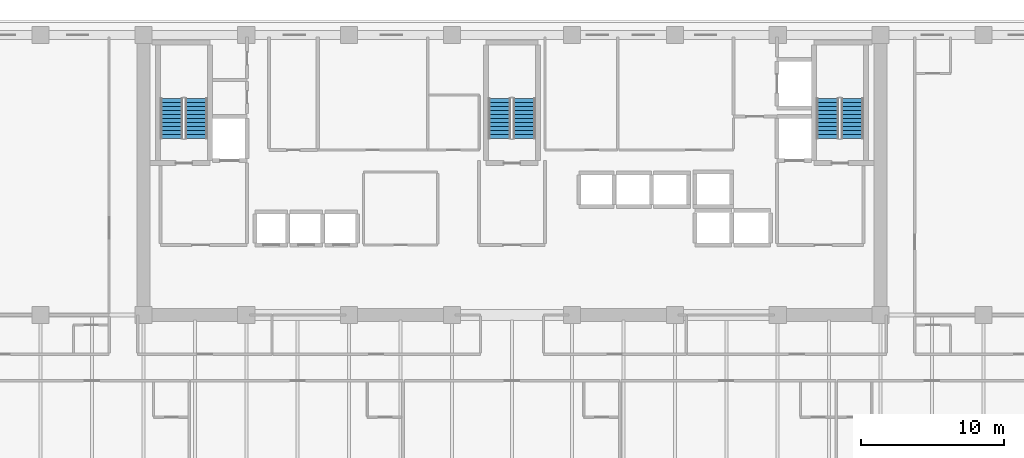
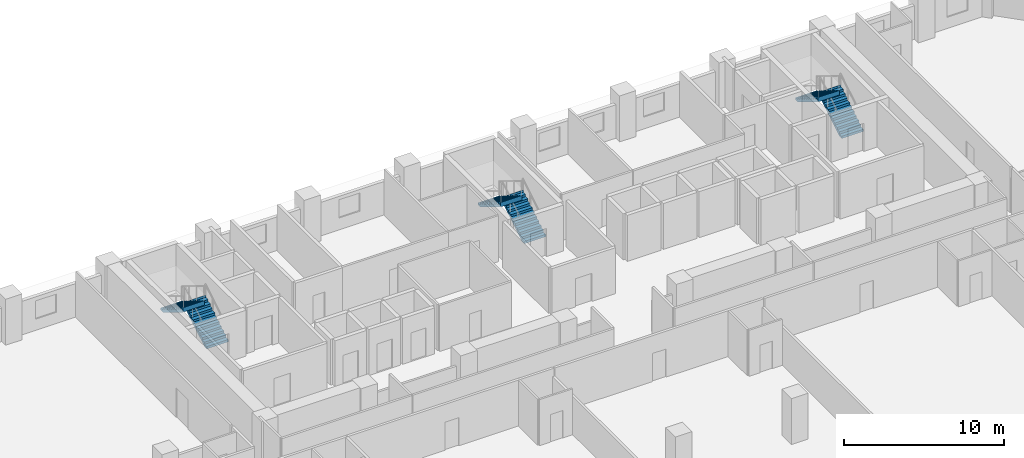
# One storey, part 10 of 14: 6 stair flights, 3 elements without a shape of their own.
"""IFC4 building model written with IfcOpenShell, lengths in metres."""

from ifc_helpers import new_model, si_unit, direction, frame, origin, place, context, subcontext, project, spatial, polyline, outline, extrude, material, type_object, element, aggregate, save


model = new_model("IFC4")

# Units and contexts
model_context = context("Model", 3, precision=1e-05, world=origin(), true_north=direction((0.0, 1.0)))
body_context = subcontext(model_context, "Body", "Model", "MODEL_VIEW")
ifc_project = project(units=[si_unit("LENGTHUNIT", "METRE"), si_unit("AREAUNIT", "SQUARE_METRE"), si_unit("VOLUMEUNIT", "CUBIC_METRE"), si_unit("PLANEANGLEUNIT", "RADIAN"), si_unit("MASSUNIT", "GRAM", prefix="KILO")], contexts=[model_context])

# Site, building, storey
site_placement = place(None, origin())
site = spatial("IfcSite", under=ifc_project, at=site_placement, CompositionType="ELEMENT")
building_placement = place(site_placement, origin())
building = spatial("IfcBuilding", under=site, at=building_placement, Name="Kaelvorn Grand Hotel", CompositionType="ELEMENT")
storey_placement = place(building_placement, frame((0.0, 0.0, 126.800048828125)))
storey = spatial("IfcBuildingStorey", under=building, at=storey_placement, Name="L30", CompositionType="ELEMENT", Elevation=126.800048828125)

# Stair, stair flights
ifc_material = material(Name="Concrete C40/50", Category="concrete")
stair_type = type_object("IfcStairType", Name="STR-DOG-1560-R06", PredefinedType="HALF_TURN_STAIR", material=ifc_material)
stair_1_placement = place(storey_placement, origin())
stair_1 = element("IfcStair", 1, at=stair_1_placement, inside=storey, type_object=stair_type, Name="L30 West Core Exit Stair ST1", PredefinedType="HALF_TURN_STAIR")
stair_flight_type = type_object("IfcStairFlightType", Name="FLG-DOG-1560-R06", PredefinedType="STRAIGHT", material=ifc_material)
stair_flight_1_placement = place(storey_placement, frame((19.89990234375, 41.760009765625, 0.0), z_axis=(0.0, 0.0, 1.0), x_axis=(0.0, 1.0, 0.0)))
stair_flight_1 = element("IfcStairFlight", 2, at=stair_flight_1_placement, type_object=stair_flight_type, Name="ST1 flight 1", NumberOfRisers=11, NumberOfTreads=10, PredefinedType="STRAIGHT", RiserHeight=0.170454545, TreadLength=0.28, context=body_context, shape_type="SweptSolid", body=[
    extrude(outline(polyline([(-0.0048828125, 0.0), (-0.0048828125, 0.0400390625), (0.0, 0.17041015625), (0.280029296875, 0.17041015625), (0.280029296875, 0.3408203125), (0.56005859375, 0.3408203125), (0.56005859375, 0.511474609375), (0.840087890625, 0.511474609375), (0.840087890625, 0.681884765625), (1.1201171875, 0.681884765625), (1.1201171875, 0.852294921875), (1.39990234375, 0.852294921875), (1.39990234375, 1.022705078125), (1.679931640625, 1.022705078125), (1.679931640625, 1.193115234375), (1.9599609375, 1.193115234375), (1.9599609375, 1.363525390625), (2.239990234375, 1.363525390625), (2.239990234375, 1.5341796875), (2.52001953125, 1.5341796875), (2.52001953125, 1.70458984375), (2.800048828125, 1.70458984375), (2.800048828125, 1.875), (2.804931640625, 1.875), (2.804931640625, 1.529052734375), (0.288330078125, 0.0), (-0.0048828125, 0.0)])), frame((0.0, 0.780029296875, 0.0), z_axis=(0.0, -1.0, 0.0), x_axis=(1.0, 0.0, 0.0)), (0.0, 0.0, 1.0), 1.56005859375),
])
stair_flight_2_placement = place(storey_placement, frame((18.179931640625, 44.56005859375, 1.875), z_axis=(0.0, 0.0, 1.0), x_axis=(0.0, -1.0, 0.0)))
stair_flight_2 = element("IfcStairFlight", 3, at=stair_flight_2_placement, type_object=stair_flight_type, Name="ST1 flight 2", NumberOfRisers=11, NumberOfTreads=10, PredefinedType="STRAIGHT", RiserHeight=0.170454545, TreadLength=0.28, context=body_context, shape_type="SweptSolid", body=[
    extrude(outline(polyline([(-0.0048828125, 0.0), (-0.0048828125, 0.0400390625), (0.0, 0.17041015625), (0.280029296875, 0.17041015625), (0.280029296875, 0.3408203125), (0.56005859375, 0.3408203125), (0.56005859375, 0.511474609375), (0.840087890625, 0.511474609375), (0.840087890625, 0.681884765625), (1.1201171875, 0.681884765625), (1.1201171875, 0.852294921875), (1.39990234375, 0.852294921875), (1.39990234375, 1.022705078125), (1.679931640625, 1.022705078125), (1.679931640625, 1.193115234375), (1.9599609375, 1.193115234375), (1.9599609375, 1.363525390625), (2.239990234375, 1.363525390625), (2.239990234375, 1.5341796875), (2.52001953125, 1.5341796875), (2.52001953125, 1.70458984375), (2.800048828125, 1.70458984375), (2.800048828125, 1.875), (2.804931640625, 1.875), (2.804931640625, 1.529052734375), (0.288330078125, 0.0), (-0.0048828125, 0.0)])), frame((0.0, 0.780029296875, 0.0), z_axis=(0.0, -1.0, 0.0), x_axis=(1.0, 0.0, 0.0)), (0.0, 0.0, 1.0), 1.56005859375),
])
aggregate(stair_1, [stair_flight_1, stair_flight_2])

stair_2_placement = place(storey_placement, origin())
stair_2 = element("IfcStair", 4, at=stair_2_placement, inside=storey, type_object=stair_type, Name="L30 Central Core Exit Stair ST2", PredefinedType="HALF_TURN_STAIR")
stair_flight_3_placement = place(storey_placement, frame((42.860107421875, 41.760009765625, 0.0), z_axis=(0.0, 0.0, 1.0), x_axis=(0.0, 1.0, 0.0)))
stair_flight_3 = element("IfcStairFlight", 5, at=stair_flight_3_placement, type_object=stair_flight_type, Name="ST2 flight 1", NumberOfRisers=11, NumberOfTreads=10, PredefinedType="STRAIGHT", RiserHeight=0.170454545, TreadLength=0.28, context=body_context, shape_type="SweptSolid", body=[
    extrude(outline(polyline([(-0.0048828125, 0.0), (-0.0048828125, 0.0400390625), (0.0, 0.17041015625), (0.280029296875, 0.17041015625), (0.280029296875, 0.3408203125), (0.56005859375, 0.3408203125), (0.56005859375, 0.511474609375), (0.840087890625, 0.511474609375), (0.840087890625, 0.681884765625), (1.1201171875, 0.681884765625), (1.1201171875, 0.852294921875), (1.39990234375, 0.852294921875), (1.39990234375, 1.022705078125), (1.679931640625, 1.022705078125), (1.679931640625, 1.193115234375), (1.9599609375, 1.193115234375), (1.9599609375, 1.363525390625), (2.239990234375, 1.363525390625), (2.239990234375, 1.5341796875), (2.52001953125, 1.5341796875), (2.52001953125, 1.70458984375), (2.800048828125, 1.70458984375), (2.800048828125, 1.875), (2.804931640625, 1.875), (2.804931640625, 1.529052734375), (0.288330078125, 0.0), (-0.0048828125, 0.0)])), frame((0.0, 0.780029296875, 0.0), z_axis=(0.0, -1.0, 0.0), x_axis=(1.0, 0.0, 0.0)), (0.0, 0.0, 1.0), 1.56005859375),
])
stair_flight_4_placement = place(storey_placement, frame((41.139892578125, 44.56005859375, 1.875), z_axis=(0.0, 0.0, 1.0), x_axis=(0.0, -1.0, 0.0)))
stair_flight_4 = element("IfcStairFlight", 6, at=stair_flight_4_placement, type_object=stair_flight_type, Name="ST2 flight 2", NumberOfRisers=11, NumberOfTreads=10, PredefinedType="STRAIGHT", RiserHeight=0.170454545, TreadLength=0.28, context=body_context, shape_type="SweptSolid", body=[
    extrude(outline(polyline([(-0.0048828125, 0.0), (-0.0048828125, 0.0400390625), (0.0, 0.17041015625), (0.280029296875, 0.17041015625), (0.280029296875, 0.3408203125), (0.56005859375, 0.3408203125), (0.56005859375, 0.511474609375), (0.840087890625, 0.511474609375), (0.840087890625, 0.681884765625), (1.1201171875, 0.681884765625), (1.1201171875, 0.852294921875), (1.39990234375, 0.852294921875), (1.39990234375, 1.022705078125), (1.679931640625, 1.022705078125), (1.679931640625, 1.193115234375), (1.9599609375, 1.193115234375), (1.9599609375, 1.363525390625), (2.239990234375, 1.363525390625), (2.239990234375, 1.5341796875), (2.52001953125, 1.5341796875), (2.52001953125, 1.70458984375), (2.800048828125, 1.70458984375), (2.800048828125, 1.875), (2.804931640625, 1.875), (2.804931640625, 1.529052734375), (0.288330078125, 0.0), (-0.0048828125, 0.0)])), frame((0.0, 0.780029296875, 0.0), z_axis=(0.0, -1.0, 0.0), x_axis=(1.0, 0.0, 0.0)), (0.0, 0.0, 1.0), 1.56005859375),
])
aggregate(stair_2, [stair_flight_3, stair_flight_4])

stair_3_placement = place(storey_placement, origin())
stair_3 = element("IfcStair", 7, at=stair_3_placement, inside=storey, type_object=stair_type, Name="L30 East Core Exit Stair ST3", PredefinedType="HALF_TURN_STAIR")
stair_flight_5_placement = place(storey_placement, frame((65.820068359375, 41.760009765625, 0.0), z_axis=(0.0, 0.0, 1.0), x_axis=(0.0, 1.0, 0.0)))
stair_flight_5 = element("IfcStairFlight", 8, at=stair_flight_5_placement, type_object=stair_flight_type, Name="ST3 flight 1", NumberOfRisers=11, NumberOfTreads=10, PredefinedType="STRAIGHT", RiserHeight=0.170454545, TreadLength=0.28, context=body_context, shape_type="SweptSolid", body=[
    extrude(outline(polyline([(-0.0048828125, 0.0), (-0.0048828125, 0.0400390625), (0.0, 0.17041015625), (0.280029296875, 0.17041015625), (0.280029296875, 0.3408203125), (0.56005859375, 0.3408203125), (0.56005859375, 0.511474609375), (0.840087890625, 0.511474609375), (0.840087890625, 0.681884765625), (1.1201171875, 0.681884765625), (1.1201171875, 0.852294921875), (1.39990234375, 0.852294921875), (1.39990234375, 1.022705078125), (1.679931640625, 1.022705078125), (1.679931640625, 1.193115234375), (1.9599609375, 1.193115234375), (1.9599609375, 1.363525390625), (2.239990234375, 1.363525390625), (2.239990234375, 1.5341796875), (2.52001953125, 1.5341796875), (2.52001953125, 1.70458984375), (2.800048828125, 1.70458984375), (2.800048828125, 1.875), (2.804931640625, 1.875), (2.804931640625, 1.529052734375), (0.288330078125, 0.0), (-0.0048828125, 0.0)])), frame((0.0, 0.780029296875, 0.0), z_axis=(0.0, -1.0, 0.0), x_axis=(1.0, 0.0, 0.0)), (0.0, 0.0, 1.0), 1.56005859375),
])
stair_flight_6_placement = place(storey_placement, frame((64.10009765625, 44.56005859375, 1.875), z_axis=(0.0, 0.0, 1.0), x_axis=(0.0, -1.0, 0.0)))
stair_flight_6 = element("IfcStairFlight", 9, at=stair_flight_6_placement, type_object=stair_flight_type, Name="ST3 flight 2", NumberOfRisers=11, NumberOfTreads=10, PredefinedType="STRAIGHT", RiserHeight=0.170454545, TreadLength=0.28, context=body_context, shape_type="SweptSolid", body=[
    extrude(outline(polyline([(-0.0048828125, 0.0), (-0.0048828125, 0.0400390625), (0.0, 0.17041015625), (0.280029296875, 0.17041015625), (0.280029296875, 0.3408203125), (0.56005859375, 0.3408203125), (0.56005859375, 0.511474609375), (0.840087890625, 0.511474609375), (0.840087890625, 0.681884765625), (1.1201171875, 0.681884765625), (1.1201171875, 0.852294921875), (1.39990234375, 0.852294921875), (1.39990234375, 1.022705078125), (1.679931640625, 1.022705078125), (1.679931640625, 1.193115234375), (1.9599609375, 1.193115234375), (1.9599609375, 1.363525390625), (2.239990234375, 1.363525390625), (2.239990234375, 1.5341796875), (2.52001953125, 1.5341796875), (2.52001953125, 1.70458984375), (2.800048828125, 1.70458984375), (2.800048828125, 1.875), (2.804931640625, 1.875), (2.804931640625, 1.529052734375), (0.288330078125, 0.0), (-0.0048828125, 0.0)])), frame((0.0, 0.780029296875, 0.0), z_axis=(0.0, -1.0, 0.0), x_axis=(1.0, 0.0, 0.0)), (0.0, 0.0, 1.0), 1.56005859375),
])
aggregate(stair_3, [stair_flight_5, stair_flight_6])

save(model, "model.ifc")
